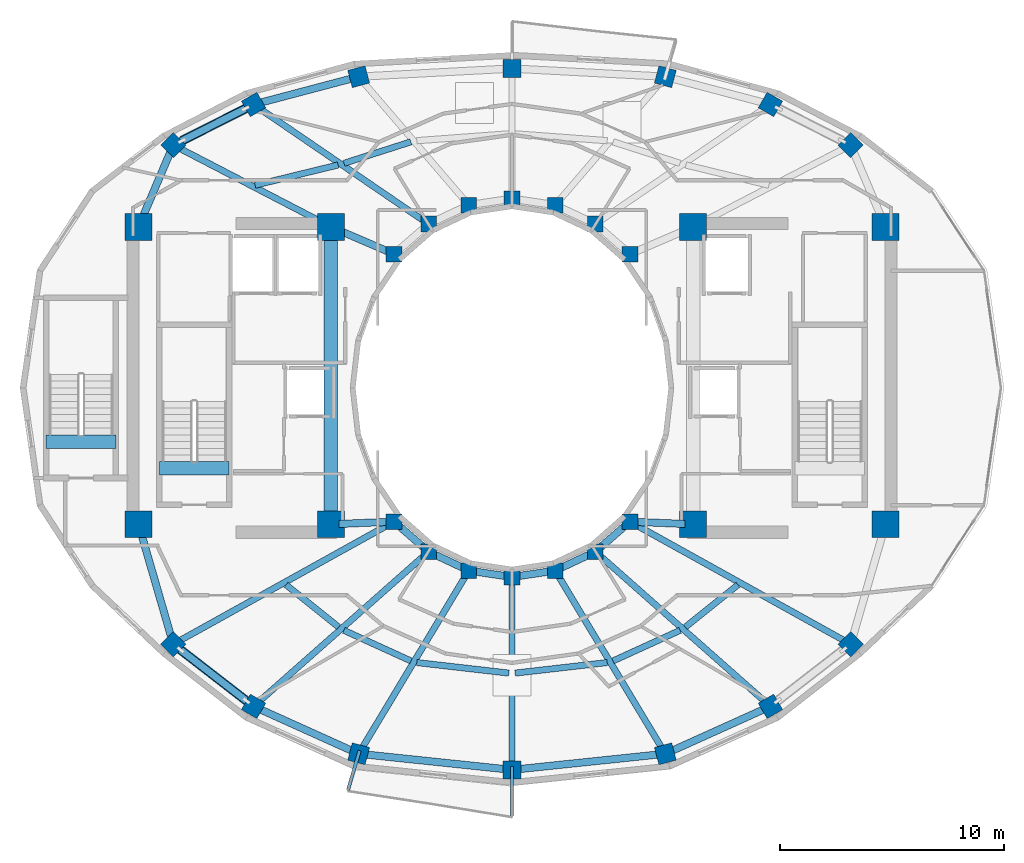
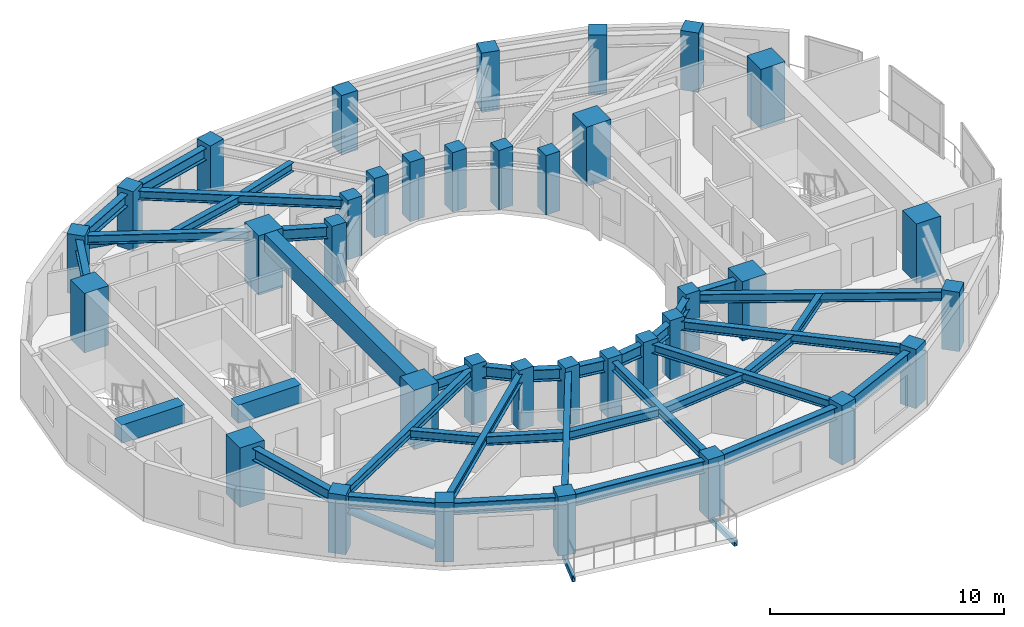
# One storey, part 1 of 12: 40 beams, 36 columns, 2 members.
"""IFC4 building model written with IfcOpenShell, lengths in metres."""

from ifc_helpers import new_model, si_unit, direction, frame, origin, origin_2d, place, context, subcontext, project, spatial, rectangle, hollow_rectangle, hollow_circle, i_section, extrude, material, material_profile, profile_set, type_object, element, save


model = new_model("IFC4")

# Units and contexts
model_context = context("Model", 3, precision=1e-05, world=origin(), true_north=direction((0.0, 1.0)))
body_context = subcontext(model_context, "Body", "Model", "MODEL_VIEW")
ifc_project = project(units=[si_unit("LENGTHUNIT", "METRE"), si_unit("AREAUNIT", "SQUARE_METRE"), si_unit("VOLUMEUNIT", "CUBIC_METRE"), si_unit("PLANEANGLEUNIT", "RADIAN"), si_unit("MASSUNIT", "GRAM", prefix="KILO")], contexts=[model_context])

# Site, building, storey
site_placement = place(None, origin())
site = spatial("IfcSite", under=ifc_project, at=site_placement, CompositionType="ELEMENT")
building_placement = place(site_placement, origin())
building = spatial("IfcBuilding", under=site, at=building_placement, Name="Solvane Sanctuary Tower", CompositionType="ELEMENT")
storey_placement = place(building_placement, frame((0.0, 0.0, 214.0)))
storey = spatial("IfcBuildingStorey", under=building, at=storey_placement, Name="L65", CompositionType="ELEMENT", Elevation=214.0)

# Columns
ifc_material_1 = material(Name="Concrete C50/60", Category="concrete")
ifc_material_profile_1 = material_profile(ifc_material_1, rectangle(XDim=0.699951171875, YDim=0.699951171875, at=origin_2d()), Name="RC700X700")
ifc_profile_set_1 = profile_set([ifc_material_profile_1], Name="Concrete C50/60")
column_type_1 = type_object("IfcColumnType", Name="Column C-RING-Z4 RC700X700", PredefinedType="COLUMN", material=ifc_profile_set_1)
for number, where, z_axis, x_axis, name in (
    (1, (37.27490234375, 28.982177734375, 0.0), (0.0, 0.0, 1.0), (1.0, 0.0, 0.0), "L65 Inner Light-Well Ring Column IC01"),
    (2, (35.72998046875, 30.32666015625, 0.0), (0.0, 0.0, 1.0), (1.0, 0.0, 0.0), "L65 Inner Light-Well Ring Column IC02"),
    (3, (33.930908203125, 31.171630859375, 0.0), (0.0, 0.0, 1.0), (1.0, 0.0, 0.0), "L65 Inner Light-Well Ring Column IC03"),
    (4, (32.0, 31.4599609375, 0.0), (0.0, 0.0, 1.0), (1.0, 0.0, 0.0), "L65 Inner Light-Well Ring Column IC04"),
    (5, (30.069091796875, 31.171630859375, 0.0), (0.0, 0.0, 1.0), (1.0, 0.0, 0.0), "L65 Inner Light-Well Ring Column IC05"),
    (6, (28.27001953125, 30.32666015625, 0.0), (0.0, 0.0, 1.0), (1.0, 0.0, 0.0), "L65 Inner Light-Well Ring Column IC06"),
    (7, (26.72509765625, 28.982177734375, 0.0), (0.0, 0.0, 1.0), (1.0, 0.0, 0.0), "L65 Inner Light-Well Ring Column IC07"),
    (8, (26.72509765625, 17.017822265625, 0.0), (0.0, 0.0, 1.0), (1.0, 0.0, 0.0), "L65 Inner Light-Well Ring Column IC08"),
    (9, (28.27001953125, 15.67333984375, 0.0), (0.0, 0.0, 1.0), (1.0, 0.0, 0.0), "L65 Inner Light-Well Ring Column IC09"),
    (10, (30.069091796875, 14.828369140625, 0.0), (0.0, 0.0, 1.0), (1.0, 0.0, 0.0), "L65 Inner Light-Well Ring Column IC10"),
    (11, (32.0, 14.5400390625, 0.0), (0.0, 0.0, 1.0), (1.0, 0.0, 0.0), "L65 Inner Light-Well Ring Column IC11"),
    (12, (33.930908203125, 14.828369140625, 0.0), (0.0, 0.0, 1.0), (1.0, 0.0, 0.0), "L65 Inner Light-Well Ring Column IC12"),
    (13, (35.72998046875, 15.67333984375, 0.0), (0.0, 0.0, 1.0), (1.0, 0.0, 0.0), "L65 Inner Light-Well Ring Column IC13"),
    (14, (37.27490234375, 17.017822265625, 0.0), (0.0, 0.0, 1.0), (1.0, 0.0, 0.0), "L65 Inner Light-Well Ring Column IC14"),
):
    element("IfcColumn", number, at=place(storey_placement, frame(where, z_axis=z_axis, x_axis=x_axis)), inside=storey, type_object=column_type_1, Name=name, PredefinedType="COLUMN", context=body_context, shape_type="SweptSolid", body=[
        extrude(rectangle(XDim=0.699951171875, YDim=0.699951171875, at=origin_2d()), origin(), (0.0, 0.0, 1.0), 3.10009765625),
    ])
ifc_material_2 = material(Name="Concrete C70/85", Category="concrete")
ifc_material_profile_2 = material_profile(ifc_material_2, rectangle(XDim=1.199951171875, YDim=1.199951171875, at=origin_2d()), Name="RC1200X1200")
ifc_profile_set_2 = profile_set([ifc_material_profile_2], Name="Concrete C70/85")
column_type_2 = type_object("IfcColumnType", Name="Column C-TUBE-Z1 RC1200X1200", PredefinedType="COLUMN", material=ifc_profile_set_2)
for number, where, z_axis, x_axis, name in (
    (15, (15.300048828125, 16.89990234375, 0.0), (0.0, 0.0, 1.0), (1.0, 0.0, 0.0), "L65 Core Corner Column CW1"),
    (16, (23.89990234375, 16.89990234375, 0.0), (0.0, 0.0, 1.0), (1.0, 0.0, 0.0), "L65 Core Corner Column CW2"),
    (17, (23.89990234375, 30.199951171875, 0.0), (0.0, 0.0, 1.0), (1.0, 0.0, 0.0), "L65 Core Corner Column CW3"),
    (18, (15.300048828125, 30.199951171875, 0.0), (0.0, 0.0, 1.0), (1.0, 0.0, 0.0), "L65 Core Corner Column CW4"),
    (19, (40.10009765625, 16.89990234375, 0.0), (0.0, 0.0, 1.0), (1.0, 0.0, 0.0), "L65 Core Corner Column CE1"),
    (20, (48.699951171875, 16.89990234375, 0.0), (0.0, 0.0, 1.0), (1.0, 0.0, 0.0), "L65 Core Corner Column CE2"),
    (21, (48.699951171875, 30.199951171875, 0.0), (0.0, 0.0, 1.0), (1.0, 0.0, 0.0), "L65 Core Corner Column CE3"),
    (22, (40.10009765625, 30.199951171875, 0.0), (0.0, 0.0, 1.0), (1.0, 0.0, 0.0), "L65 Core Corner Column CE4"),
):
    element("IfcColumn", number, at=place(storey_placement, frame(where, z_axis=z_axis, x_axis=x_axis)), inside=storey, type_object=column_type_2, Name=name, PredefinedType="COLUMN", context=body_context, shape_type="SweptSolid", body=[
        extrude(rectangle(XDim=1.199951171875, YDim=1.199951171875, at=origin_2d()), origin(), (0.0, 0.0, 1.0), 3.10009765625),
    ])
ifc_material_profile_3 = material_profile(ifc_material_1, rectangle(XDim=0.800048828125, YDim=0.800048828125, at=origin_2d()), Name="RC800X800")
ifc_profile_set_3 = profile_set([ifc_material_profile_3], Name="Concrete C50/60")
column_type_3 = type_object("IfcColumnType", Name="Column C-TUBE-Z4 RC800X800", PredefinedType="COLUMN", material=ifc_profile_set_3)
for number, where, z_axis, x_axis, name in (
    (23, (47.14501953125, 33.85693359375, 0.0), (0.0, 0.0, 1.0), (0.707106781187, 0.707106781187, 0.0), "L65 Perimeter Tube Column TC01"),
    (24, (43.55517578125, 35.672607421875, 0.0), (0.0, 0.0, 1.0), (0.5, 0.866025403784, 0.0), "L65 Perimeter Tube Column TC02"),
    (25, (38.856201171875, 36.914306640625, 0.0), (0.0, 0.0, 1.0), (0.258819045103, 0.965925826289, 0.0), "L65 Perimeter Tube Column TC03"),
    (26, (32.0, 37.280029296875, 0.0), (0.0, 0.0, 1.0), (0.0, 1.0, 0.0), "L65 Perimeter Tube Column TC04"),
    (27, (25.143798828125, 36.914306640625, 0.0), (0.0, 0.0, 1.0), (-0.258819045103, 0.965925826289, 0.0), "L65 Perimeter Tube Column TC05"),
    (28, (20.44482421875, 35.672607421875, 0.0), (0.0, 0.0, 1.0), (-0.5, 0.866025403784, 0.0), "L65 Perimeter Tube Column TC06"),
    (29, (16.85498046875, 33.85693359375, 0.0), (0.0, 0.0, 1.0), (-0.707106781187, 0.707106781187, 0.0), "L65 Perimeter Tube Column TC07"),
    (30, (16.85498046875, 11.538330078125, 0.0), (0.0, 0.0, 1.0), (-0.707106781187, -0.707106781187, 0.0), "L65 Perimeter Tube Column TC08"),
    (31, (20.44482421875, 8.758544921875, 0.0), (0.0, 0.0, 1.0), (-0.5, -0.866025403784, 0.0), "L65 Perimeter Tube Column TC09"),
    (32, (25.143798828125, 6.6376953125, 0.0), (0.0, 0.0, 1.0), (-0.258819045103, -0.965925826289, 0.0), "L65 Perimeter Tube Column TC10"),
    (33, (32.0, 5.919921875, 0.0), (0.0, 0.0, 1.0), (0.0, -1.0, 0.0), "L65 Perimeter Tube Column TC11"),
    (34, (38.856201171875, 6.6376953125, 0.0), (0.0, 0.0, 1.0), (0.258819045103, -0.965925826289, 0.0), "L65 Perimeter Tube Column TC12"),
    (35, (43.55517578125, 8.758544921875, 0.0), (0.0, 0.0, 1.0), (0.5, -0.866025403784, 0.0), "L65 Perimeter Tube Column TC13"),
    (36, (47.14501953125, 11.538330078125, 0.0), (0.0, 0.0, 1.0), (0.707106781187, -0.707106781187, 0.0), "L65 Perimeter Tube Column TC14"),
):
    element("IfcColumn", number, at=place(storey_placement, frame(where, z_axis=z_axis, x_axis=x_axis)), inside=storey, type_object=column_type_3, Name=name, PredefinedType="COLUMN", context=body_context, shape_type="SweptSolid", body=[
        extrude(rectangle(XDim=0.800048828125, YDim=0.800048828125, at=origin_2d()), origin(), (0.0, 0.0, 1.0), 3.10009765625),
    ])

# Beams
ifc_material_3 = material(Name="Steel ASTM A500 Grade C", Category="steel")
ifc_material_profile_4 = material_profile(ifc_material_3, hollow_rectangle(XDim=0.14990234375, YDim=0.300048828125, WallThickness=0.010009765625, at=origin_2d()), Name="HSS300X150X10")
ifc_profile_set_4 = profile_set([ifc_material_profile_4], Name="Steel ASTM A500 Grade C")
beam_type_1 = type_object("IfcBeamType", Name="Beam B-BALC-BRK HSS300X150X10", PredefinedType="BEAM", material=ifc_profile_set_4)
beam_1_placement = place(storey_placement, frame((25.186279296875, 6.78173828125, -0.3720703125), z_axis=(-0.282517844472, -0.959262043216, 0.0), x_axis=(0.959262043216, -0.282517844472, 0.0)))
element("IfcBeam", 37, at=beam_1_placement, inside=storey, type_object=beam_type_1, Name="L65 Balcony Bracket SC-1", PredefinedType="BEAM", context=body_context, shape_type="SweptSolid", body=[
    extrude(hollow_rectangle(XDim=0.14990234375, YDim=0.300048828125, WallThickness=0.010009765625, at=origin_2d()), origin(), (0.0, 0.0, 1.0), 1.84228515625),
])
beam_2_placement = place(storey_placement, frame((32.0, 6.070068359375, -0.3720703125), z_axis=(0.0, -1.0, 0.0), x_axis=(1.0, 0.0, 0.0)))
element("IfcBeam", 38, at=beam_2_placement, inside=storey, type_object=beam_type_1, Name="L65 Balcony Bracket SC-2", PredefinedType="BEAM", context=body_context, shape_type="SweptSolid", body=[
    extrude(hollow_rectangle(XDim=0.14990234375, YDim=0.300048828125, WallThickness=0.010009765625, at=origin_2d()), origin(), (0.0, 0.0, 1.0), 2.219970703125),
])
ifc_material_profile_5 = material_profile(ifc_material_2, rectangle(XDim=0.60009765625, YDim=0.949951171875, at=origin_2d()), Name="RC600X950")
ifc_profile_set_5 = profile_set([ifc_material_profile_5], Name="Concrete C70/85")
beam_type_2 = type_object("IfcBeamType", Name="Beam B-COUPLE RC600X950", PredefinedType="LINTEL", material=ifc_profile_set_5)
beam_3_placement = place(storey_placement, frame((23.89990234375, 17.35009765625, 2.625), z_axis=(0.0, 1.0, 0.0), x_axis=(-1.0, 0.0, 0.0)))
element("IfcBeam", 39, at=beam_3_placement, inside=storey, type_object=beam_type_2, Name="L65 West Core Coupling Lintel", PredefinedType="LINTEL", context=body_context, shape_type="SweptSolid", body=[
    extrude(rectangle(XDim=0.60009765625, YDim=0.949951171875, at=origin_2d()), origin(), (0.0, 0.0, 1.0), 12.39990234375),
])
for number, where, z_axis, x_axis, name in (
    (40, (16.22998046875, 19.399169921875, 2.625), (1.0, 0.0, 0.0), (0.0, 1.0, 0.0), "L65 ST-1 Stair Floor Landing Trimmer"),
    (41, (11.169921875, 20.59912109375, 2.625), (1.0, 0.0, 0.0), (0.0, 1.0, 0.0), "L65 ST-3 Stair Floor Landing Trimmer"),
):
    element("IfcBeam", number, at=place(storey_placement, frame(where, z_axis=z_axis, x_axis=x_axis)), inside=storey, type_object=beam_type_2, Name=name, PredefinedType="LINTEL", context=body_context, shape_type="SweptSolid", body=[
        extrude(rectangle(XDim=0.60009765625, YDim=0.949951171875, at=origin_2d()), origin(), (0.0, 0.0, 1.0), 3.1201171875),
    ])
ifc_material_4 = material(Name="Steel ASTM A992 Grade 50", Category="steel")
ifc_material_profile_6 = material_profile(ifc_material_4, i_section(OverallWidth=0.282958984375, OverallDepth=0.471923828125, WebThickness=0.013671875, FlangeThickness=0.022216796875, FilletRadius=0.013916015625, at=origin_2d()), Name="W18X97")
ifc_profile_set_6 = profile_set([ifc_material_profile_6], Name="Steel ASTM A992 Grade 50")
beam_type_3 = type_object("IfcBeamType", Name="Beam B-RAD-Z4 W18X97", PredefinedType="JOIST", material=ifc_profile_set_6)
beam_4_placement = place(storey_placement, frame((28.038818359375, 30.484619140625, 2.64208984375), z_axis=(-0.825707980649, 0.564097802418, 0.0), x_axis=(-0.564097802418, -0.825707980649, 0.0)))
element("IfcBeam", 42, at=beam_4_placement, inside=storey, type_object=beam_type_3, Name="L65 Radial Composite Floor Beam 06", PredefinedType="JOIST", context=body_context, shape_type="SweptSolid", body=[
    extrude(i_section(OverallWidth=0.282958984375, OverallDepth=0.471923828125, WebThickness=0.013671875, FlangeThickness=0.022216796875, FilletRadius=0.013916015625, at=origin_2d()), origin(), (0.0, 0.0, 1.0), 8.9169921875),
])
beam_5_placement = place(storey_placement, frame((23.58056640625, 30.365966796875, 2.64208984375), z_axis=(-0.887553429209, 0.460704797348, 0.0), x_axis=(-0.460704797348, -0.887553429209, 0.0)))
element("IfcBeam", 43, at=beam_5_placement, inside=storey, type_object=beam_type_3, Name="L65 Radial Composite Floor Beam 07", PredefinedType="JOIST", context=body_context, shape_type="SweptSolid", body=[
    extrude(i_section(OverallWidth=0.282958984375, OverallDepth=0.471923828125, WebThickness=0.013671875, FlangeThickness=0.022216796875, FilletRadius=0.013916015625, at=origin_2d()), origin(), (0.0, 0.0, 1.0), 7.297607421875),
])
beam_6_placement = place(storey_placement, frame((26.480224609375, 16.882080078125, 2.64208984375), z_axis=(-0.874297849051, -0.485389813599, 0.0), x_axis=(0.485389813599, -0.874297849051, 0.0)))
element("IfcBeam", 44, at=beam_6_placement, inside=storey, type_object=beam_type_3, Name="L65 Radial Composite Floor Beam 08", PredefinedType="JOIST", context=body_context, shape_type="SweptSolid", body=[
    extrude(i_section(OverallWidth=0.282958984375, OverallDepth=0.471923828125, WebThickness=0.013671875, FlangeThickness=0.022216796875, FilletRadius=0.013916015625, at=origin_2d()), origin(), (0.0, 0.0, 1.0), 10.72900390625),
])
beam_7_placement = place(storey_placement, frame((28.060302734375, 15.488037109375, 2.64208984375), z_axis=(-0.749352461353, -0.662171343886, 0.0), x_axis=(0.662171343886, -0.749352461353, 0.0)))
element("IfcBeam", 45, at=beam_7_placement, inside=storey, type_object=beam_type_3, Name="L65 Radial Composite Floor Beam 09", PredefinedType="JOIST", context=body_context, shape_type="SweptSolid", body=[
    extrude(i_section(OverallWidth=0.282958984375, OverallDepth=0.471923828125, WebThickness=0.013671875, FlangeThickness=0.022216796875, FilletRadius=0.013916015625, at=origin_2d()), origin(), (0.0, 0.0, 1.0), 9.882568359375),
])
beam_8_placement = place(storey_placement, frame((29.9248046875, 14.58837890625, 2.64208984375), z_axis=(-0.515337473432, -0.85698733274, 0.0), x_axis=(0.85698733274, -0.515337473432, 0.0)))
element("IfcBeam", 46, at=beam_8_placement, inside=storey, type_object=beam_type_3, Name="L65 Radial Composite Floor Beam 10", PredefinedType="JOIST", context=body_context, shape_type="SweptSolid", body=[
    extrude(i_section(OverallWidth=0.282958984375, OverallDepth=0.471923828125, WebThickness=0.013671875, FlangeThickness=0.022216796875, FilletRadius=0.013916015625, at=origin_2d()), origin(), (0.0, 0.0, 1.0), 8.99755859375),
])
beam_9_placement = place(storey_placement, frame((32.0, 14.260009765625, 2.64208984375), z_axis=(0.0, -1.0, 0.0), x_axis=(1.0, 0.0, 0.0)))
element("IfcBeam", 47, at=beam_9_placement, inside=storey, type_object=beam_type_3, Name="L65 Radial Composite Floor Beam 11", PredefinedType="JOIST", context=body_context, shape_type="SweptSolid", body=[
    extrude(i_section(OverallWidth=0.282958984375, OverallDepth=0.471923828125, WebThickness=0.013671875, FlangeThickness=0.022216796875, FilletRadius=0.013916015625, at=origin_2d()), origin(), (0.0, 0.0, 1.0), 8.06005859375),
])
beam_10_placement = place(storey_placement, frame((34.0751953125, 14.58837890625, 2.64208984375), z_axis=(0.515337473432, -0.85698733274, 0.0), x_axis=(0.85698733274, 0.515337473432, 0.0)))
element("IfcBeam", 48, at=beam_10_placement, inside=storey, type_object=beam_type_3, Name="L65 Radial Composite Floor Beam 12", PredefinedType="JOIST", context=body_context, shape_type="SweptSolid", body=[
    extrude(i_section(OverallWidth=0.282958984375, OverallDepth=0.471923828125, WebThickness=0.013671875, FlangeThickness=0.022216796875, FilletRadius=0.013916015625, at=origin_2d()), origin(), (0.0, 0.0, 1.0), 8.99755859375),
])
beam_11_placement = place(storey_placement, frame((35.939697265625, 15.488037109375, 2.64208984375), z_axis=(0.749352461353, -0.662171343886, 0.0), x_axis=(0.662171343886, 0.749352461353, 0.0)))
element("IfcBeam", 49, at=beam_11_placement, inside=storey, type_object=beam_type_3, Name="L65 Radial Composite Floor Beam 13", PredefinedType="JOIST", context=body_context, shape_type="SweptSolid", body=[
    extrude(i_section(OverallWidth=0.282958984375, OverallDepth=0.471923828125, WebThickness=0.013671875, FlangeThickness=0.022216796875, FilletRadius=0.013916015625, at=origin_2d()), origin(), (0.0, 0.0, 1.0), 9.882568359375),
])
beam_12_placement = place(storey_placement, frame((37.519775390625, 16.882080078125, 2.64208984375), z_axis=(0.874297849051, -0.485389813599, 0.0), x_axis=(0.485389813599, 0.874297849051, 0.0)))
element("IfcBeam", 50, at=beam_12_placement, inside=storey, type_object=beam_type_3, Name="L65 Radial Composite Floor Beam 14", PredefinedType="JOIST", context=body_context, shape_type="SweptSolid", body=[
    extrude(i_section(OverallWidth=0.282958984375, OverallDepth=0.471923828125, WebThickness=0.013671875, FlangeThickness=0.022216796875, FilletRadius=0.013916015625, at=origin_2d()), origin(), (0.0, 0.0, 1.0), 10.72900390625),
])
ifc_material_profile_7 = material_profile(ifc_material_4, i_section(OverallWidth=0.324951171875, OverallDepth=0.615966796875, WebThickness=0.013916015625, FlangeThickness=0.021484375, FilletRadius=0.01611328125, at=origin_2d()), Name="W24X117")
ifc_profile_set_7 = profile_set([ifc_material_profile_7], Name="Steel ASTM A992 Grade 50")
beam_type_4 = type_object("IfcBeamType", Name="Beam B-RING-IN2 W24X117", PredefinedType="BEAM", material=ifc_profile_set_7)
beam_13_placement = place(storey_placement, frame((24.230712890625, 30.0576171875, 2.570068359375), z_axis=(0.918283854026, -0.395922673554, 0.0), x_axis=(0.395922673554, 0.918283854026, 0.0)))
element("IfcBeam", 51, at=beam_13_placement, inside=storey, type_object=beam_type_4, Name="L65 Inner Light-Well Ring Beam CW3-IC07", PredefinedType="BEAM", context=body_context, shape_type="SweptSolid", body=[
    extrude(i_section(OverallWidth=0.324951171875, OverallDepth=0.615966796875, WebThickness=0.013916015625, FlangeThickness=0.021484375, FilletRadius=0.01611328125, at=origin_2d()), origin(), (0.0, 0.0, 1.0), 2.396240234375),
])
beam_14_placement = place(storey_placement, frame((24.259765625, 16.9150390625, 2.570068359375), z_axis=(0.999129127803, 0.041725124022, 0.0), x_axis=(-0.041725124022, 0.999129127803, 0.0)))
element("IfcBeam", 52, at=beam_14_placement, inside=storey, type_object=beam_type_4, Name="L65 Inner Light-Well Ring Beam CW2-IC08", PredefinedType="BEAM", context=body_context, shape_type="SweptSolid", body=[
    extrude(i_section(OverallWidth=0.324951171875, OverallDepth=0.615966796875, WebThickness=0.013916015625, FlangeThickness=0.021484375, FilletRadius=0.01611328125, at=origin_2d()), origin(), (0.0, 0.0, 1.0), 2.1474609375),
])
beam_15_placement = place(storey_placement, frame((26.96630859375, 16.807861328125, 2.570068359375), z_axis=(0.754388985763, -0.656427648839, 0.0), x_axis=(0.656427648839, 0.754388985763, 0.0)))
element("IfcBeam", 53, at=beam_15_placement, inside=storey, type_object=beam_type_4, Name="L65 Inner Light-Well Ring Beam IC08-IC09", PredefinedType="BEAM", context=body_context, shape_type="SweptSolid", body=[
    extrude(i_section(OverallWidth=0.324951171875, OverallDepth=0.615966796875, WebThickness=0.013916015625, FlangeThickness=0.021484375, FilletRadius=0.01611328125, at=origin_2d()), origin(), (0.0, 0.0, 1.0), 1.408203125),
])
beam_16_placement = place(storey_placement, frame((28.5595703125, 15.537353515625, 2.570068359375), z_axis=(0.905134542189, -0.425125229241, 0.0), x_axis=(0.425125229241, 0.905134542189, 0.0)))
element("IfcBeam", 54, at=beam_16_placement, inside=storey, type_object=beam_type_4, Name="L65 Inner Light-Well Ring Beam IC09-IC10", PredefinedType="BEAM", context=body_context, shape_type="SweptSolid", body=[
    extrude(i_section(OverallWidth=0.324951171875, OverallDepth=0.615966796875, WebThickness=0.013916015625, FlangeThickness=0.021484375, FilletRadius=0.01611328125, at=origin_2d()), origin(), (0.0, 0.0, 1.0), 1.347900390625),
])
for number, where, z_axis, x_axis, name in (
    (55, (30.3857421875, 14.781005859375, 2.570068359375), (0.989056121481, -0.147539786368, 0.0), (0.147539786368, 0.989056121481, 0.0), "L65 Inner Light-Well Ring Beam IC10-IC11"),
    (56, (32.31640625, 14.58740234375, 2.570068359375), (0.989056121481, 0.147539786368, 0.0), (-0.147539786368, 0.989056121481, 0.0), "L65 Inner Light-Well Ring Beam IC11-IC12"),
):
    element("IfcBeam", number, at=place(storey_placement, frame(where, z_axis=z_axis, x_axis=x_axis)), inside=storey, type_object=beam_type_4, Name=name, PredefinedType="BEAM", context=body_context, shape_type="SweptSolid", body=[
        extrude(i_section(OverallWidth=0.324951171875, OverallDepth=0.615966796875, WebThickness=0.013916015625, FlangeThickness=0.021484375, FilletRadius=0.01611328125, at=origin_2d()), origin(), (0.0, 0.0, 1.0), 1.312255859375),
    ])
beam_17_placement = place(storey_placement, frame((34.220458984375, 14.96435546875, 2.570068359375), z_axis=(0.905134542189, 0.425125229241, 0.0), x_axis=(-0.425125229241, 0.905134542189, 0.0)))
element("IfcBeam", 57, at=beam_17_placement, inside=storey, type_object=beam_type_4, Name="L65 Inner Light-Well Ring Beam IC12-IC13", PredefinedType="BEAM", context=body_context, shape_type="SweptSolid", body=[
    extrude(i_section(OverallWidth=0.324951171875, OverallDepth=0.615966796875, WebThickness=0.013916015625, FlangeThickness=0.021484375, FilletRadius=0.01611328125, at=origin_2d()), origin(), (0.0, 0.0, 1.0), 1.347900390625),
])
beam_18_placement = place(storey_placement, frame((35.971435546875, 15.883544921875, 2.570068359375), z_axis=(0.754388985763, 0.656427648839, 0.0), x_axis=(-0.656427648839, 0.754388985763, 0.0)))
element("IfcBeam", 58, at=beam_18_placement, inside=storey, type_object=beam_type_4, Name="L65 Inner Light-Well Ring Beam IC13-IC14", PredefinedType="BEAM", context=body_context, shape_type="SweptSolid", body=[
    extrude(i_section(OverallWidth=0.324951171875, OverallDepth=0.615966796875, WebThickness=0.013916015625, FlangeThickness=0.021484375, FilletRadius=0.01611328125, at=origin_2d()), origin(), (0.0, 0.0, 1.0), 1.408203125),
])
beam_19_placement = place(storey_placement, frame((37.5947265625, 17.004638671875, 2.570068359375), z_axis=(0.999129127803, -0.041725124022, 0.0), x_axis=(0.041725124022, 0.999129127803, 0.0)))
element("IfcBeam", 59, at=beam_19_placement, inside=storey, type_object=beam_type_4, Name="L65 Inner Light-Well Ring Beam IC14-CE1", PredefinedType="BEAM", context=body_context, shape_type="SweptSolid", body=[
    extrude(i_section(OverallWidth=0.324951171875, OverallDepth=0.615966796875, WebThickness=0.013916015625, FlangeThickness=0.021484375, FilletRadius=0.01611328125, at=origin_2d()), origin(), (0.0, 0.0, 1.0), 2.1474609375),
])
ifc_material_profile_8 = material_profile(ifc_material_4, i_section(OverallWidth=0.280029296875, OverallDepth=0.462890625, WebThickness=0.0107421875, FlangeThickness=0.017333984375, FilletRadius=0.013916015625, at=origin_2d()), Name="W18X76")
ifc_profile_set_8 = profile_set([ifc_material_profile_8], Name="Steel ASTM A992 Grade 50")
beam_type_5 = type_object("IfcBeamType", Name="Beam B-SEC-JOIST W18X76", PredefinedType="JOIST", material=ifc_profile_set_8)
beam_20_placement = place(storey_placement, frame((20.510009765625, 32.060791015625, 2.646484375), z_axis=(0.971494163165, 0.237063474489, 0.0), x_axis=(-0.237063474489, 0.971494163165, 0.0)))
element("IfcBeam", 60, at=beam_20_placement, inside=storey, type_object=beam_type_5, Name="L65 Secondary Circumferential Joist 07-06", PredefinedType="JOIST", context=body_context, shape_type="SweptSolid", body=[
    extrude(i_section(OverallWidth=0.280029296875, OverallDepth=0.462890625, WebThickness=0.0107421875, FlangeThickness=0.017333984375, FilletRadius=0.013916015625, at=origin_2d()), origin(), (0.0, 0.0, 1.0), 3.82373046875),
])
beam_21_placement = place(storey_placement, frame((24.487548828125, 33.04150390625, 2.646484375), z_axis=(0.952124803756, 0.305709597612, 0.0), x_axis=(-0.305709597612, 0.952124803756, 0.0)))
element("IfcBeam", 61, at=beam_21_placement, inside=storey, type_object=beam_type_5, Name="L65 Secondary Circumferential Joist 06-05", PredefinedType="JOIST", context=body_context, shape_type="SweptSolid", body=[
    extrude(i_section(OverallWidth=0.280029296875, OverallDepth=0.462890625, WebThickness=0.0107421875, FlangeThickness=0.017333984375, FilletRadius=0.013916015625, at=origin_2d()), origin(), (0.0, 0.0, 1.0), 3.139404296875),
])
beam_22_placement = place(storey_placement, frame((21.896484375, 14.192626953125, 2.646484375), z_axis=(0.779684411268, -0.626172674928, 0.0), x_axis=(0.626172674928, 0.779684411268, 0.0)))
element("IfcBeam", 62, at=beam_22_placement, inside=storey, type_object=beam_type_5, Name="L65 Secondary Circumferential Joist 08-09", PredefinedType="JOIST", context=body_context, shape_type="SweptSolid", body=[
    extrude(i_section(OverallWidth=0.280029296875, OverallDepth=0.462890625, WebThickness=0.0107421875, FlangeThickness=0.017333984375, FilletRadius=0.013916015625, at=origin_2d()), origin(), (0.0, 0.0, 1.0), 3.02001953125),
])
beam_23_placement = place(storey_placement, frame((24.481689453125, 12.1591796875, 2.646484375), z_axis=(0.909746959611, -0.415163184156, 0.0), x_axis=(0.415163184156, 0.909746959611, 0.0)))
element("IfcBeam", 63, at=beam_23_placement, inside=storey, type_object=beam_type_5, Name="L65 Secondary Circumferential Joist 09-10", PredefinedType="JOIST", context=body_context, shape_type="SweptSolid", body=[
    extrude(i_section(OverallWidth=0.280029296875, OverallDepth=0.462890625, WebThickness=0.0107421875, FlangeThickness=0.017333984375, FilletRadius=0.013916015625, at=origin_2d()), origin(), (0.0, 0.0, 1.0), 3.29833984375),
])
for number, where, z_axis, x_axis, name in (
    (64, (27.7421875, 10.717529296875, 2.646484375), (0.993510844231, -0.113737427415, 0.0), (0.113737427415, 0.993510844231, 0.0), "L65 Secondary Circumferential Joist 10-11"),
    (65, (32.135498046875, 10.24560546875, 2.646484375), (0.993510844231, 0.113737427415, 0.0), (-0.113737427415, 0.993510844231, 0.0), "L65 Secondary Circumferential Joist 11-12"),
):
    element("IfcBeam", number, at=place(storey_placement, frame(where, z_axis=z_axis, x_axis=x_axis)), inside=storey, type_object=beam_type_5, Name=name, PredefinedType="JOIST", context=body_context, shape_type="SweptSolid", body=[
        extrude(i_section(OverallWidth=0.280029296875, OverallDepth=0.462890625, WebThickness=0.0107421875, FlangeThickness=0.017333984375, FilletRadius=0.013916015625, at=origin_2d()), origin(), (0.0, 0.0, 1.0), 4.149169921875),
    ])
beam_24_placement = place(storey_placement, frame((36.517578125, 10.789794921875, 2.646484375), z_axis=(0.909746959611, 0.415163184156, 0.0), x_axis=(-0.415163184156, 0.909746959611, 0.0)))
element("IfcBeam", 66, at=beam_24_placement, inside=storey, type_object=beam_type_5, Name="L65 Secondary Circumferential Joist 12-13", PredefinedType="JOIST", context=body_context, shape_type="SweptSolid", body=[
    extrude(i_section(OverallWidth=0.280029296875, OverallDepth=0.462890625, WebThickness=0.0107421875, FlangeThickness=0.017333984375, FilletRadius=0.013916015625, at=origin_2d()), origin(), (0.0, 0.0, 1.0), 3.29833984375),
])
beam_25_placement = place(storey_placement, frame((39.748779296875, 12.301513671875, 2.646484375), z_axis=(0.779684411268, 0.626172674928, 0.0), x_axis=(-0.626172674928, 0.779684411268, 0.0)))
element("IfcBeam", 67, at=beam_25_placement, inside=storey, type_object=beam_type_5, Name="L65 Secondary Circumferential Joist 13-14", PredefinedType="JOIST", context=body_context, shape_type="SweptSolid", body=[
    extrude(i_section(OverallWidth=0.280029296875, OverallDepth=0.462890625, WebThickness=0.0107421875, FlangeThickness=0.017333984375, FilletRadius=0.013916015625, at=origin_2d()), origin(), (0.0, 0.0, 1.0), 3.02001953125),
])
ifc_material_profile_9 = material_profile(ifc_material_4, i_section(OverallWidth=0.327880859375, OverallDepth=0.6279296875, WebThickness=0.0166015625, FlangeThickness=0.027587890625, FilletRadius=0.01611328125, at=origin_2d()), Name="W24X146")
ifc_profile_set_9 = profile_set([ifc_material_profile_9], Name="Steel ASTM A992 Grade 50")
beam_type_6 = type_object("IfcBeamType", Name="Beam B-SPAND-Z3 W24X146", PredefinedType="SPANDREL", material=ifc_profile_set_9)
beam_26_placement = place(storey_placement, frame((15.40966796875, 30.457763671875, 2.56396484375), z_axis=(0.391328410333, 0.920251093597, 0.0), x_axis=(-0.920251093597, 0.391328410333, 0.0)))
element("IfcBeam", 68, at=beam_26_placement, inside=storey, type_object=beam_type_6, Name="L65 Perimeter Spandrel Beam CW4-TC07", PredefinedType="SPANDREL", context=body_context, shape_type="SweptSolid", body=[
    extrude(i_section(OverallWidth=0.327880859375, OverallDepth=0.6279296875, WebThickness=0.0166015625, FlangeThickness=0.027587890625, FilletRadius=0.01611328125, at=origin_2d()), origin(), (0.0, 0.0, 1.0), 3.413818359375),
])
beam_27_placement = place(storey_placement, frame((17.10498046875, 33.9833984375, 2.56396484375), z_axis=(0.892344822899, 0.451354314308, 0.0), x_axis=(-0.451354314308, 0.892344822899, 0.0)))
element("IfcBeam", 69, at=beam_27_placement, inside=storey, type_object=beam_type_6, Name="L65 Perimeter Spandrel Beam TC07-TC06", PredefinedType="SPANDREL", context=body_context, shape_type="SweptSolid", body=[
    extrude(i_section(OverallWidth=0.327880859375, OverallDepth=0.6279296875, WebThickness=0.0166015625, FlangeThickness=0.027587890625, FilletRadius=0.01611328125, at=origin_2d()), origin(), (0.0, 0.0, 1.0), 3.462890625),
])
beam_28_placement = place(storey_placement, frame((20.715576171875, 35.744140625, 2.56396484375), z_axis=(0.966816659466, 0.255471225343, 0.0), x_axis=(-0.255471225343, 0.966816659466, 0.0)))
element("IfcBeam", 70, at=beam_28_placement, inside=storey, type_object=beam_type_6, Name="L65 Perimeter Spandrel Beam TC06-TC05", PredefinedType="SPANDREL", context=body_context, shape_type="SweptSolid", body=[
    extrude(i_section(OverallWidth=0.327880859375, OverallDepth=0.6279296875, WebThickness=0.0166015625, FlangeThickness=0.027587890625, FilletRadius=0.01611328125, at=origin_2d()), origin(), (0.0, 0.0, 1.0), 4.300537109375),
])
beam_29_placement = place(storey_placement, frame((15.3779296875, 16.631103515625, 2.56396484375), z_axis=(0.278564353947, -0.960417565807, 0.0), x_axis=(0.960417565807, 0.278564353947, 0.0)))
element("IfcBeam", 71, at=beam_29_placement, inside=storey, type_object=beam_type_6, Name="L65 Perimeter Spandrel Beam CW1-TC08", PredefinedType="SPANDREL", context=body_context, shape_type="SweptSolid", body=[
    extrude(i_section(OverallWidth=0.327880859375, OverallDepth=0.6279296875, WebThickness=0.0166015625, FlangeThickness=0.027587890625, FilletRadius=0.01611328125, at=origin_2d()), origin(), (0.0, 0.0, 1.0), 5.022705078125),
])
beam_30_placement = place(storey_placement, frame((17.076416015625, 11.366943359375, 2.56396484375), z_axis=(0.79064516309, -0.612274632891, 0.0), x_axis=(0.612274632891, 0.79064516309, 0.0)))
element("IfcBeam", 72, at=beam_30_placement, inside=storey, type_object=beam_type_6, Name="L65 Perimeter Spandrel Beam TC08-TC09", PredefinedType="SPANDREL", context=body_context, shape_type="SweptSolid", body=[
    extrude(i_section(OverallWidth=0.327880859375, OverallDepth=0.6279296875, WebThickness=0.0166015625, FlangeThickness=0.027587890625, FilletRadius=0.01611328125, at=origin_2d()), origin(), (0.0, 0.0, 1.0), 3.980224609375),
])
beam_31_placement = place(storey_placement, frame((20.7001953125, 8.643310546875, 2.56396484375), z_axis=(0.911467646952, -0.411371764418, 0.0), x_axis=(0.411371764418, 0.911467646952, 0.0)))
element("IfcBeam", 73, at=beam_31_placement, inside=storey, type_object=beam_type_6, Name="L65 Perimeter Spandrel Beam TC09-TC10", PredefinedType="SPANDREL", context=body_context, shape_type="SweptSolid", body=[
    extrude(i_section(OverallWidth=0.327880859375, OverallDepth=0.6279296875, WebThickness=0.0166015625, FlangeThickness=0.027587890625, FilletRadius=0.01611328125, at=origin_2d()), origin(), (0.0, 0.0, 1.0), 4.59521484375),
])
for number, where, z_axis, x_axis, name in (
    (74, (25.42236328125, 6.608642578125, 2.56396484375), (0.994565065885, -0.10411690411, 0.0), (0.10411690411, 0.994565065885, 0.0), "L65 Perimeter Spandrel Beam TC10-TC11"),
    (75, (32.278564453125, 5.94921875, 2.56396484375), (0.994565065885, 0.10411690411, 0.0), (-0.10411690411, 0.994565065885, 0.0), "L65 Perimeter Spandrel Beam TC11-TC12"),
):
    element("IfcBeam", number, at=place(storey_placement, frame(where, z_axis=z_axis, x_axis=x_axis)), inside=storey, type_object=beam_type_6, Name=name, PredefinedType="SPANDREL", context=body_context, shape_type="SweptSolid", body=[
        extrude(i_section(OverallWidth=0.327880859375, OverallDepth=0.6279296875, WebThickness=0.0166015625, FlangeThickness=0.027587890625, FilletRadius=0.01611328125, at=origin_2d()), origin(), (0.0, 0.0, 1.0), 6.33349609375),
    ])
beam_32_placement = place(storey_placement, frame((39.111328125, 6.7529296875, 2.56396484375), z_axis=(0.911467646952, 0.411371764418, 0.0), x_axis=(-0.411371764418, 0.911467646952, 0.0)))
element("IfcBeam", 76, at=beam_32_placement, inside=storey, type_object=beam_type_6, Name="L65 Perimeter Spandrel Beam TC12-TC13", PredefinedType="SPANDREL", context=body_context, shape_type="SweptSolid", body=[
    extrude(i_section(OverallWidth=0.327880859375, OverallDepth=0.6279296875, WebThickness=0.0166015625, FlangeThickness=0.027587890625, FilletRadius=0.01611328125, at=origin_2d()), origin(), (0.0, 0.0, 1.0), 4.59521484375),
])

# Members
ifc_material_profile_10 = material_profile(ifc_material_4, hollow_circle(Radius=0.202880859375, WallThickness=0.012451171875, at=origin_2d()), Name="CHS406X12.5")
ifc_profile_set_10 = profile_set([ifc_material_profile_10], Name="Steel ASTM A992 Grade 50")
member_type = type_object("IfcMemberType", Name="Member M-TUBE-Z3 CHS406X12.5", PredefinedType="BRACE", material=ifc_profile_set_10)
member_1_placement = place(storey_placement, frame((20.079345703125, 35.48779296875, 0.5703125), z_axis=(-0.809168494131, -0.409313786141, 0.4215549461), x_axis=(0.451381225256, -0.892331210642, 0.0)))
element("IfcMember", 77, at=member_1_placement, inside=storey, type_object=member_type, Name="L65 Perimeter Braced-Tube Diagonal NW", PredefinedType="BRACE", context=body_context, shape_type="SweptSolid", body=[
    extrude(hollow_circle(Radius=0.202880859375, WallThickness=0.012451171875, at=origin_2d()), origin(), (0.0, 0.0, 1.0), 3.51025390625),
])
member_2_placement = place(storey_placement, frame((20.118408203125, 9.011474609375, 0.550048828125), z_axis=(-0.731090089768, 0.566107162853, 0.380827993731), x_axis=(-0.612242116954, -0.790670342322, 0.0)))
element("IfcMember", 78, at=member_2_placement, inside=storey, type_object=member_type, Name="L65 Perimeter Braced-Tube Diagonal SW", PredefinedType="BRACE", context=body_context, shape_type="SweptSolid", body=[
    extrude(hollow_circle(Radius=0.202880859375, WallThickness=0.012451171875, at=origin_2d()), origin(), (0.0, 0.0, 1.0), 4.017578125),
])

save(model, "model.ifc")
